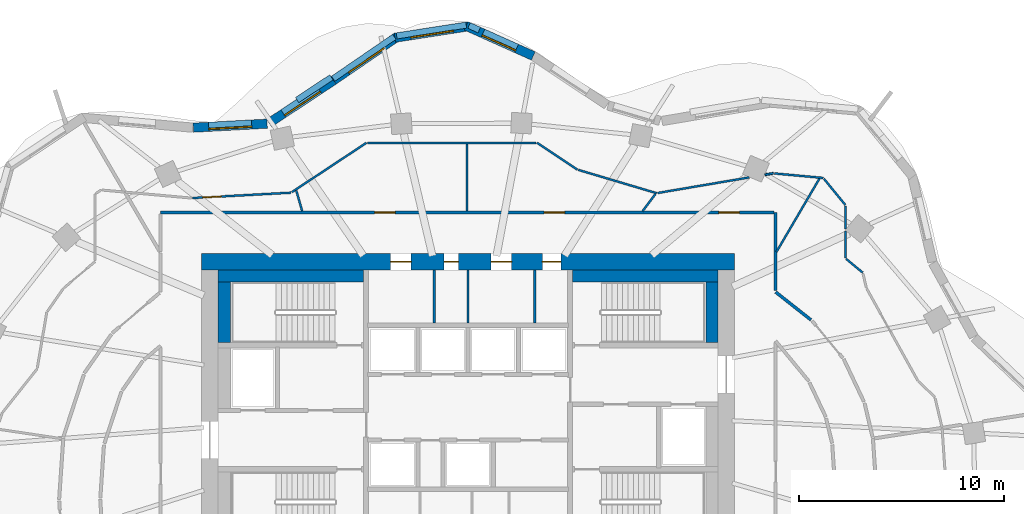
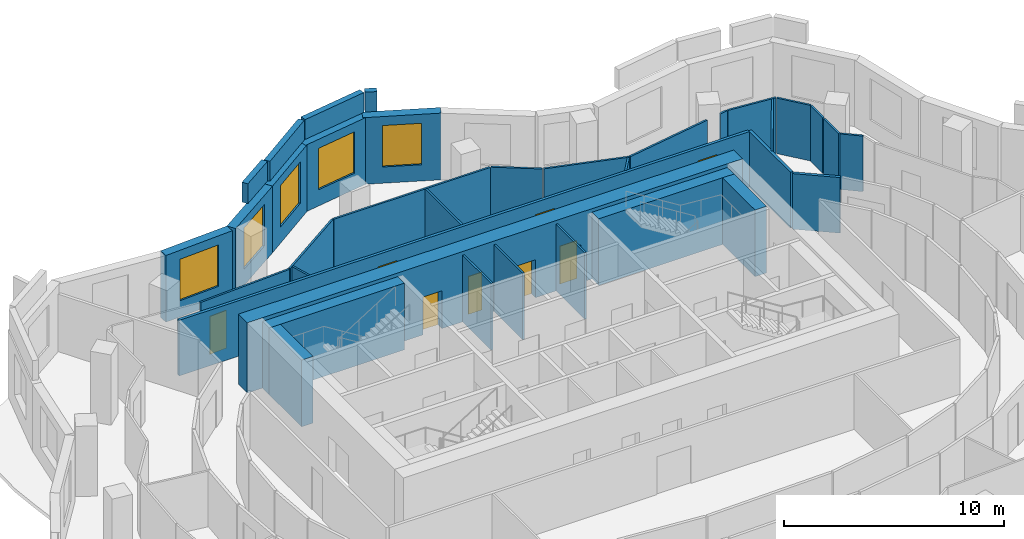
# One storey, part 8 of 10: 36 walls, 8 doors, 5 windows, 13 openings.
"""IFC4 building model written with IfcOpenShell, lengths in metres."""

from ifc_helpers import new_model, si_unit, direction, frame, frame_2d, origin, place, context, subcontext, project, spatial, rectangle, extrude, material, layer, layer_set, type_object, element, fill, save


model = new_model("IFC4")

# Units and contexts
model_context = context("Model", 3, precision=1e-05, world=origin(), true_north=direction((0.0, 1.0)))
body_context = subcontext(model_context, "Body", "Model", "MODEL_VIEW")
ifc_project = project(units=[si_unit("LENGTHUNIT", "METRE"), si_unit("AREAUNIT", "SQUARE_METRE"), si_unit("VOLUMEUNIT", "CUBIC_METRE"), si_unit("PLANEANGLEUNIT", "RADIAN"), si_unit("MASSUNIT", "GRAM", prefix="KILO")], contexts=[model_context])

# Site, building, storey
site_placement = place(None, origin())
site = spatial("IfcSite", under=ifc_project, at=site_placement, CompositionType="ELEMENT")
building_placement = place(site_placement, origin())
building = spatial("IfcBuilding", under=site, at=building_placement, Name="Rubra Terraces Tower", CompositionType="ELEMENT")
storey_placement = place(building_placement, frame((0.0, 0.0, 205.199951171875)))
storey = spatial("IfcBuildingStorey", under=building, at=storey_placement, Name="L50", CompositionType="ELEMENT", Elevation=205.199951171875)

# Wall, opening, window
ifc_material_1 = material(Name="Brick masonry red-brown", Category="masonry")
ifc_layer_1 = layer(ifc_material_1, 0.449951171875)
ifc_layer_set_1 = layer_set([ifc_layer_1], Name="Brick masonry red-brown")
wall_type_1 = type_object("IfcWallType", Name="Brick facade wall 450", PredefinedType="SOLIDWALL", material=ifc_layer_set_1)
wall_1_placement = place(storey_placement, frame((3.179443359375, 21.63623046875, 0.0), z_axis=(0.0, 0.0, 1.0), x_axis=(-0.912608353595, 0.40883492139, 0.0)))
wall_1 = element("IfcWall", 1, at=wall_1_placement, inside=storey, type_object=wall_type_1, Name="Facade wall L50 bay 10", PredefinedType="SOLIDWALL", context=body_context, shape_type="SweptSolid", body=[
    extrude(rectangle(XDim=3.584716796875, YDim=0.449951171875, at=frame_2d((1.79248046875, 0.0))), origin(), (0.0, 0.0, 1.0), 3.699951171875),
])
opening_1_placement = place(wall_1_placement, frame((0.892333984375, 0.0, 0.89990234375)))
opening_1 = element("IfcOpeningElement", 2, at=opening_1_placement, cuts=wall_1, Name="Opening W6B", PredefinedType="OPENING", context=body_context, shape_type="SweptSolid", body=[
    extrude(rectangle(XDim=1.800048828125, YDim=2.300048828125, at=frame_2d((0.89990234375, 1.14990234375))), frame((0.0, 0.23486328125, 0.0), z_axis=(0.0, -1.0, 0.0), x_axis=(1.0, 0.0, 0.0)), (0.0, 0.0, 1.0), 0.469970703125),
])
ifc_material_2 = material(Name="Clear glass in aluminium frame", Category="aluminium")
window_type_1 = type_object("IfcWindowType", Name="Fixed deep-set window at wind fin tall storey 1800 x 2300", PartitioningType="SINGLE_PANEL", PredefinedType="WINDOW", material=ifc_material_2)
window_1_placement = place(opening_1_placement, origin())
window_1 = element("IfcWindow", 3, at=window_1_placement, inside=storey, type_object=window_type_1, Name="Window L50 bay 10", OverallHeight=2.300048828125, OverallWidth=1.800048828125, PartitioningType="SINGLE_PANEL", PredefinedType="WINDOW", context=body_context, shape_type="SweptSolid", body=[
    extrude(rectangle(XDim=1.800048828125, YDim=2.300048828125, at=frame_2d((0.89990234375, 1.14990234375))), frame((0.0, 0.135009765625, 0.0), z_axis=(0.0, -1.0, 0.0), x_axis=(1.0, 0.0, 0.0)), (0.0, 0.0, 1.0), 0.06005859375),
])
fill(opening_1, window_1)

wall_2_placement = place(storey_placement, frame((0.03466796875, 23.084716796875, 0.0), z_axis=(0.0, 0.0, 1.0), x_axis=(-0.988133637562, -0.153596596054, 0.0)))
wall_2 = element("IfcWall", 4, at=wall_2_placement, inside=storey, type_object=wall_type_1, Name="Facade wall L50 bay 11", PredefinedType="SOLIDWALL", context=body_context, shape_type="SweptSolid", body=[
    extrude(rectangle(XDim=3.646240234375, YDim=0.449951171875, at=frame_2d((1.8232421875, 0.0))), origin(), (0.0, 0.0, 1.0), 3.699951171875),
])
opening_2_placement = place(wall_2_placement, frame((0.773193359375, 0.0, 0.89990234375)))
opening_2 = element("IfcOpeningElement", 5, at=opening_2_placement, cuts=wall_2, Name="Opening W1B", PredefinedType="OPENING", context=body_context, shape_type="SweptSolid", body=[
    extrude(rectangle(XDim=2.10009765625, YDim=2.300048828125, at=frame_2d((1.050048828125, 1.14990234375))), frame((0.0, 0.23486328125, 0.0), z_axis=(0.0, -1.0, 0.0), x_axis=(1.0, 0.0, 0.0)), (0.0, 0.0, 1.0), 0.469970703125),
])
window_type_2 = type_object("IfcWindowType", Name="Fixed deep-set window tall storey 2100 x 2300", PartitioningType="SINGLE_PANEL", PredefinedType="WINDOW", material=ifc_material_2)
window_2_placement = place(opening_2_placement, origin())
window_2 = element("IfcWindow", 6, at=window_2_placement, inside=storey, type_object=window_type_2, Name="Window L50 bay 11", OverallHeight=2.300048828125, OverallWidth=2.10009765625, PartitioningType="SINGLE_PANEL", PredefinedType="WINDOW", context=body_context, shape_type="SweptSolid", body=[
    extrude(rectangle(XDim=2.10009765625, YDim=2.300048828125, at=frame_2d((1.050048828125, 1.14990234375))), frame((0.0, 0.135009765625, 0.0), z_axis=(0.0, -1.0, 0.0), x_axis=(1.0, 0.0, 0.0)), (0.0, 0.0, 1.0), 0.06005859375),
])
fill(opening_2, window_2)

wall_3_placement = place(storey_placement, frame((-3.478515625, 22.559814453125, 0.0), z_axis=(0.0, 0.0, 1.0), x_axis=(-0.824722766417, -0.565537230033, 0.0)))
wall_3 = element("IfcWall", 7, at=wall_3_placement, inside=storey, type_object=wall_type_1, Name="Facade wall L50 bay 12", PredefinedType="SOLIDWALL", context=body_context, shape_type="SweptSolid", body=[
    extrude(rectangle(XDim=3.742431640625, YDim=0.449951171875, at=frame_2d((1.87109375, 0.0))), origin(), (0.0, 0.0, 1.0), 3.699951171875),
])
opening_3_placement = place(wall_3_placement, frame((0.8212890625, 0.0, 0.89990234375)))
opening_3 = element("IfcOpeningElement", 8, at=opening_3_placement, cuts=wall_3, Name="Opening W1B", PredefinedType="OPENING", context=body_context, shape_type="SweptSolid", body=[
    extrude(rectangle(XDim=2.10009765625, YDim=2.300048828125, at=frame_2d((1.050048828125, 1.14990234375))), frame((0.0, 0.23486328125, 0.0), z_axis=(0.0, -1.0, 0.0), x_axis=(1.0, 0.0, 0.0)), (0.0, 0.0, 1.0), 0.469970703125),
])
window_3_placement = place(opening_3_placement, origin())
window_3 = element("IfcWindow", 9, at=window_3_placement, inside=storey, type_object=window_type_2, Name="Window L50 bay 12", OverallHeight=2.300048828125, OverallWidth=2.10009765625, PartitioningType="SINGLE_PANEL", PredefinedType="WINDOW", context=body_context, shape_type="SweptSolid", body=[
    extrude(rectangle(XDim=2.10009765625, YDim=2.300048828125, at=frame_2d((1.050048828125, 1.14990234375))), frame((0.0, 0.135009765625, 0.0), z_axis=(0.0, -1.0, 0.0), x_axis=(1.0, 0.0, 0.0)), (0.0, 0.0, 1.0), 0.06005859375),
])
fill(opening_3, window_3)

wall_4_placement = place(storey_placement, frame((-6.568115234375, 20.44140625, 0.0), z_axis=(0.0, 0.0, 1.0), x_axis=(-0.834034214531, -0.551712723246, 0.0)))
wall_4 = element("IfcWall", 10, at=wall_4_placement, inside=storey, type_object=wall_type_1, Name="Facade wall L50 bay 13", PredefinedType="SOLIDWALL", context=body_context, shape_type="SweptSolid", body=[
    extrude(rectangle(XDim=3.75732421875, YDim=0.449951171875, at=frame_2d((1.878662109375, 0.0))), origin(), (0.0, 0.0, 1.0), 3.699951171875),
])
opening_4_placement = place(wall_4_placement, frame((0.82861328125, 0.0, 0.89990234375)))
opening_4 = element("IfcOpeningElement", 11, at=opening_4_placement, cuts=wall_4, Name="Opening W1B", PredefinedType="OPENING", context=body_context, shape_type="SweptSolid", body=[
    extrude(rectangle(XDim=2.10009765625, YDim=2.300048828125, at=frame_2d((1.050048828125, 1.14990234375))), frame((0.0, 0.23486328125, 0.0), z_axis=(0.0, -1.0, 0.0), x_axis=(1.0, 0.0, 0.0)), (0.0, 0.0, 1.0), 0.469970703125),
])
window_4_placement = place(opening_4_placement, origin())
window_4 = element("IfcWindow", 12, at=window_4_placement, inside=storey, type_object=window_type_2, Name="Window L50 bay 13", OverallHeight=2.300048828125, OverallWidth=2.10009765625, PartitioningType="SINGLE_PANEL", PredefinedType="WINDOW", context=body_context, shape_type="SweptSolid", body=[
    extrude(rectangle(XDim=2.10009765625, YDim=2.300048828125, at=frame_2d((1.050048828125, 1.14990234375))), frame((0.0, 0.135009765625, 0.0), z_axis=(0.0, -1.0, 0.0), x_axis=(1.0, 0.0, 0.0)), (0.0, 0.0, 1.0), 0.06005859375),
])
fill(opening_4, window_4)

wall_5_placement = place(storey_placement, frame((-9.80322265625, 18.333740234375, 0.0), z_axis=(0.0, 0.0, 1.0), x_axis=(-0.998525941495, -0.054276552602, 0.0)))
wall_5 = element("IfcWall", 13, at=wall_5_placement, inside=storey, type_object=wall_type_1, Name="Facade wall L50 bay 14", PredefinedType="SOLIDWALL", context=body_context, shape_type="SweptSolid", body=[
    extrude(rectangle(XDim=3.60302734375, YDim=0.449951171875, at=frame_2d((1.801513671875, 0.0))), origin(), (0.0, 0.0, 1.0), 3.699951171875),
])
opening_5_placement = place(wall_5_placement, frame((0.75146484375, 0.0, 0.89990234375)))
opening_5 = element("IfcOpeningElement", 14, at=opening_5_placement, cuts=wall_5, Name="Opening W1B", PredefinedType="OPENING", context=body_context, shape_type="SweptSolid", body=[
    extrude(rectangle(XDim=2.10009765625, YDim=2.300048828125, at=frame_2d((1.050048828125, 1.14990234375))), frame((0.0, 0.23486328125, 0.0), z_axis=(0.0, -1.0, 0.0), x_axis=(1.0, 0.0, 0.0)), (0.0, 0.0, 1.0), 0.469970703125),
])
window_5_placement = place(opening_5_placement, origin())
window_5 = element("IfcWindow", 15, at=window_5_placement, inside=storey, type_object=window_type_2, Name="Window L50 bay 14", OverallHeight=2.300048828125, OverallWidth=2.10009765625, PartitioningType="SINGLE_PANEL", PredefinedType="WINDOW", context=body_context, shape_type="SweptSolid", body=[
    extrude(rectangle(XDim=2.10009765625, YDim=2.300048828125, at=frame_2d((1.050048828125, 1.14990234375))), frame((0.0, 0.135009765625, 0.0), z_axis=(0.0, -1.0, 0.0), x_axis=(1.0, 0.0, 0.0)), (0.0, 0.0, 1.0), 0.06005859375),
])
fill(opening_5, window_5)

# Walls
ifc_layer_2 = layer(ifc_material_1, 0.300048828125)
ifc_layer_set_2 = layer_set([ifc_layer_2], Name="Brick masonry red-brown")
wall_type_2 = type_object("IfcWallType", Name="Brick parapet 300", PredefinedType="PARAPET", material=ifc_layer_set_2)
wall_6_placement = place(storey_placement, frame((0.54541015625, 22.898193359375, 3.900146484375), z_axis=(0.0, 0.0, 1.0), x_axis=(-0.912497815069, 0.409081578044, 0.0)))
element("IfcWall", 16, at=wall_6_placement, inside=storey, type_object=wall_type_2, Name="Parapet L50 bay 10", PredefinedType="PARAPET", context=body_context, shape_type="SweptSolid", body=[
    extrude(rectangle(XDim=0.546142578125, YDim=0.300048828125, at=frame_2d((0.27294921875, 0.0))), origin(), (0.0, 0.0, 1.0), 1.099853515625),
])
wall_7_placement = place(storey_placement, frame((-0.09423828125, 23.140380859375, 3.900146484375), z_axis=(0.0, 0.0, 1.0), x_axis=(-0.988150084887, -0.153490748056, 0.0)))
element("IfcWall", 17, at=wall_7_placement, inside=storey, type_object=wall_type_2, Name="Parapet L50 bay 11", PredefinedType="PARAPET", context=body_context, shape_type="SweptSolid", body=[
    extrude(rectangle(XDim=3.42919921875, YDim=0.300048828125, at=frame_2d((1.714599609375, 0.0))), origin(), (0.0, 0.0, 1.0), 1.099853515625),
])
wall_8_placement = place(storey_placement, frame((-3.59912109375, 22.56787109375, 3.900146484375), z_axis=(0.0, 0.0, 1.0), x_axis=(-0.82476034254, -0.565482428881, 0.0)))
element("IfcWall", 18, at=wall_8_placement, inside=storey, type_object=wall_type_2, Name="Parapet L50 bay 12", PredefinedType="PARAPET", context=body_context, shape_type="SweptSolid", body=[
    extrude(rectangle(XDim=3.61572265625, YDim=0.300048828125, at=frame_2d((1.807861328125, 0.0))), origin(), (0.0, 0.0, 1.0), 1.099853515625),
])
wall_9_placement = place(storey_placement, frame((-6.665283203125, 20.593017578125, 3.900146484375), z_axis=(0.0, 0.0, 1.0), x_axis=(-0.834027642059, -0.551722658843, 0.0)))
element("IfcWall", 19, at=wall_9_placement, inside=storey, type_object=wall_type_2, Name="Parapet L50 bay 13", PredefinedType="PARAPET", context=body_context, shape_type="SweptSolid", body=[
    extrude(rectangle(XDim=2.008056640625, YDim=0.300048828125, at=frame_2d((1.00390625, 0.0))), origin(), (0.0, 0.0, 1.0), 1.099853515625),
])

# Wall, openings, doors
ifc_material_3 = material(Name="Concrete C50", Category="concrete")
ifc_layer_3 = layer(ifc_material_3, 0.800048828125)
ifc_layer_set_3 = layer_set([ifc_layer_3], Name="Concrete C50")
wall_type_3 = type_object("IfcWallType", Name="CORE WALL 800 C50", PredefinedType="SHEAR", material=ifc_layer_set_3)
wall_10_placement = place(storey_placement, frame((-13.0, 11.60009765625, 0.0), z_axis=(0.0, 0.0, 1.0), x_axis=(1.0, 0.0, 0.0)))
wall_10 = element("IfcWall", 20, at=wall_10_placement, inside=storey, type_object=wall_type_3, Name="CORE WALL N L50", PredefinedType="SHEAR", context=body_context, shape_type="SweptSolid", body=[
    extrude(rectangle(XDim=26.0, YDim=0.800048828125, at=frame_2d((13.0, 0.0))), origin(), (0.0, 0.0, 1.0), 3.900146484375),
])
opening_6_placement = place(wall_10_placement, frame((9.22509765625, 0.0, 0.0)))
opening_6 = element("IfcOpeningElement", 21, at=opening_6_placement, cuts=wall_10, Name="Opening L50.C25", PredefinedType="OPENING", context=body_context, shape_type="SweptSolid", body=[
    extrude(rectangle(XDim=1.0, YDim=2.10009765625, at=frame_2d((0.5, 1.050048828125))), frame((0.0, 0.409912109375, 0.0), z_axis=(0.0, -1.0, 0.0), x_axis=(1.0, 0.0, 0.0)), (0.0, 0.0, 1.0), 0.820068359375),
])
opening_7_placement = place(wall_10_placement, frame((11.824951171875, 0.0, 0.0)))
opening_7 = element("IfcOpeningElement", 22, at=opening_7_placement, cuts=wall_10, Name="Opening L50.C26", PredefinedType="OPENING", context=body_context, shape_type="SweptSolid", body=[
    extrude(rectangle(XDim=0.699951171875, YDim=2.10009765625, at=frame_2d((0.35009765625, 1.050048828125))), frame((0.0, 0.409912109375, 0.0), z_axis=(0.0, -1.0, 0.0), x_axis=(1.0, 0.0, 0.0)), (0.0, 0.0, 1.0), 0.820068359375),
])
opening_8_placement = place(wall_10_placement, frame((14.125, 0.0, 0.0)))
opening_8 = element("IfcOpeningElement", 23, at=opening_8_placement, cuts=wall_10, Name="Opening L50.C27", PredefinedType="OPENING", context=body_context, shape_type="SweptSolid", body=[
    extrude(rectangle(XDim=1.0, YDim=2.10009765625, at=frame_2d((0.5, 1.050048828125))), frame((0.0, 0.409912109375, 0.0), z_axis=(0.0, -1.0, 0.0), x_axis=(1.0, 0.0, 0.0)), (0.0, 0.0, 1.0), 0.820068359375),
])
opening_9_placement = place(wall_10_placement, frame((16.625, 0.0, 0.0)))
opening_9 = element("IfcOpeningElement", 24, at=opening_9_placement, cuts=wall_10, Name="Opening L50.C28", PredefinedType="OPENING", context=body_context, shape_type="SweptSolid", body=[
    extrude(rectangle(XDim=0.89990234375, YDim=2.10009765625, at=frame_2d((0.449951171875, 1.050048828125))), frame((0.0, 0.409912109375, 0.0), z_axis=(0.0, -1.0, 0.0), x_axis=(1.0, 0.0, 0.0)), (0.0, 0.0, 1.0), 0.820068359375),
])
ifc_material_4 = material(Name="Painted steel", Category="steel")
door_type_1 = type_object("IfcDoorType", Name="Fire door 1000x2100 single", OperationType="NOTDEFINED", PredefinedType="DOOR", material=ifc_material_4)
door_1_placement = place(opening_6_placement, origin())
door_1 = element("IfcDoor", 25, at=door_1_placement, inside=storey, type_object=door_type_1, Name="Guest pantry door", OperationType="SINGLE_SWING_LEFT", OverallHeight=2.10009765625, OverallWidth=1.0, PredefinedType="DOOR", context=body_context, shape_type="SweptSolid", body=[
    extrude(rectangle(XDim=1.0, YDim=2.10009765625, at=frame_2d((0.5, 1.050048828125))), frame((0.0, 0.02490234375, 0.0), z_axis=(0.0, -1.0, 0.0), x_axis=(1.0, 0.0, 0.0)), (0.0, 0.0, 1.0), 0.050048828125),
])
fill(opening_6, door_1)
door_2_placement = place(opening_8_placement, origin())
door_2 = element("IfcDoor", 26, at=door_2_placement, inside=storey, type_object=door_type_1, Name="Security and building control room door", OperationType="SINGLE_SWING_LEFT", OverallHeight=2.10009765625, OverallWidth=1.0, PredefinedType="DOOR", context=body_context, shape_type="SweptSolid", body=[
    extrude(rectangle(XDim=1.0, YDim=2.10009765625, at=frame_2d((0.5, 1.050048828125))), frame((0.0, 0.02490234375, 0.0), z_axis=(0.0, -1.0, 0.0), x_axis=(1.0, 0.0, 0.0)), (0.0, 0.0, 1.0), 0.050048828125),
])
fill(opening_8, door_2)
door_type_2 = type_object("IfcDoorType", Name="Fire door 900x2100 single", OperationType="NOTDEFINED", PredefinedType="DOOR", material=ifc_material_4)
door_3_placement = place(opening_9_placement, origin())
door_3 = element("IfcDoor", 27, at=door_3_placement, inside=storey, type_object=door_type_2, Name="Cleaner's store door", OperationType="SINGLE_SWING_RIGHT", OverallHeight=2.10009765625, OverallWidth=0.89990234375, PredefinedType="DOOR", context=body_context, shape_type="SweptSolid", body=[
    extrude(rectangle(XDim=0.89990234375, YDim=2.10009765625, at=frame_2d((0.449951171875, 1.050048828125))), frame((0.0, 0.02490234375, 0.0), z_axis=(0.0, -1.0, 0.0), x_axis=(1.0, 0.0, 0.0)), (0.0, 0.0, 1.0), 0.050048828125),
])
fill(opening_9, door_3)
door_type_3 = type_object("IfcDoorType", Name="Riser access door 700x2100 single", OperationType="NOTDEFINED", PredefinedType="DOOR", material=ifc_material_4)
door_4_placement = place(opening_7_placement, origin())
door_4 = element("IfcDoor", 28, at=door_4_placement, inside=storey, type_object=door_type_3, Name="Electrical riser room door", OperationType="SINGLE_SWING_RIGHT", OverallHeight=2.10009765625, OverallWidth=0.699951171875, PredefinedType="DOOR", context=body_context, shape_type="SweptSolid", body=[
    extrude(rectangle(XDim=0.699951171875, YDim=2.10009765625, at=frame_2d((0.35009765625, 1.050048828125))), frame((0.0, 0.02490234375, 0.0), z_axis=(0.0, -1.0, 0.0), x_axis=(1.0, 0.0, 0.0)), (0.0, 0.0, 1.0), 0.050048828125),
])
fill(opening_7, door_4)

# Walls
ifc_material_5 = material(Name="Plasterboard on steel stud, mineral wool infill", Category="steel")
ifc_layer_4 = layer(ifc_material_5, 0.14990234375)
ifc_layer_set_4 = layer_set([ifc_layer_4], Name="Plasterboard on steel stud, mineral wool infill")
wall_type_4 = type_object("IfcWallType", Name="CORRIDOR PARTITION 150", PredefinedType="PARTITIONING", material=ifc_layer_set_4)
wall_11_placement = place(storey_placement, frame((16.723876953125, 8.761474609375, 0.0), z_axis=(0.0, 0.0, 1.0), x_axis=(-0.785124633057, 0.619337800047, 0.0)))
element("IfcWall", 29, at=wall_11_placement, inside=storey, type_object=wall_type_4, Name="PARTITION", PredefinedType="PARTITIONING", context=body_context, shape_type="SweptSolid", body=[
    extrude(rectangle(XDim=2.195556640625, YDim=0.14990234375, at=frame_2d((1.09765625, 0.0))), origin(), (0.0, 0.0, 1.0), 3.083984375),
])
wall_12_placement = place(storey_placement, frame((15.0, 10.1962890625, 0.0), z_axis=(0.0, 0.0, 1.0), x_axis=(0.0, 1.0, 0.0)))
element("IfcWall", 30, at=wall_12_placement, inside=storey, type_object=wall_type_4, Name="PARTITION", PredefinedType="PARTITIONING", context=body_context, shape_type="SweptSolid", body=[
    extrude(rectangle(XDim=3.8037109375, YDim=0.14990234375, at=frame_2d((1.90185546875, 0.0))), origin(), (0.0, 0.0, 1.0), 3.083984375),
])

# Wall, openings, doors
wall_13_placement = place(storey_placement, frame((14.925048828125, 14.0, 0.0), z_axis=(0.0, 0.0, 1.0), x_axis=(-1.0, 0.0, 0.0)))
wall_13 = element("IfcWall", 31, at=wall_13_placement, inside=storey, type_object=wall_type_4, Name="PARTITION", PredefinedType="PARTITIONING", context=body_context, shape_type="SweptSolid", body=[
    extrude(rectangle(XDim=29.925048828125, YDim=0.14990234375, at=frame_2d((14.96240234375, 0.0))), origin(), (0.0, 0.0, 1.0), 3.083984375),
])
opening_10_placement = place(wall_13_placement, frame((1.698974609375, 0.0, 0.0)))
opening_10 = element("IfcOpeningElement", 32, at=opening_10_placement, cuts=wall_13, Name="Opening 50-112", PredefinedType="OPENING", context=body_context, shape_type="SweptSolid", body=[
    extrude(rectangle(XDim=1.0, YDim=2.39990234375, at=frame_2d((0.5, 1.199951171875))), frame((0.0, 0.0849609375, 0.0), z_axis=(0.0, -1.0, 0.0), x_axis=(1.0, 0.0, 0.0)), (0.0, 0.0, 1.0), 0.169921875),
])
opening_11_placement = place(wall_13_placement, frame((10.222900390625, 0.0, 0.0)))
opening_11 = element("IfcOpeningElement", 33, at=opening_11_placement, cuts=wall_13, Name="Opening 50-113", PredefinedType="OPENING", context=body_context, shape_type="SweptSolid", body=[
    extrude(rectangle(XDim=1.0, YDim=2.39990234375, at=frame_2d((0.5, 1.199951171875))), frame((0.0, 0.0849609375, 0.0), z_axis=(0.0, -1.0, 0.0), x_axis=(1.0, 0.0, 0.0)), (0.0, 0.0, 1.0), 0.169921875),
])
opening_12_placement = place(wall_13_placement, frame((18.489990234375, 0.0, 0.0)))
opening_12 = element("IfcOpeningElement", 34, at=opening_12_placement, cuts=wall_13, Name="Opening 50-114", PredefinedType="OPENING", context=body_context, shape_type="SweptSolid", body=[
    extrude(rectangle(XDim=1.0, YDim=2.39990234375, at=frame_2d((0.5, 1.199951171875))), frame((0.0, 0.0849609375, 0.0), z_axis=(0.0, -1.0, 0.0), x_axis=(1.0, 0.0, 0.0)), (0.0, 0.0, 1.0), 0.169921875),
])
ifc_material_6 = material(Name="Glazed aluminium meeting door leaf", Category="aluminium")
door_type_4 = type_object("IfcDoorType", Name="MEETING ROOM GLAZED DOOR 1000 X 2400", OperationType="SINGLE_SWING_LEFT", PredefinedType="DOOR", material=ifc_material_6)
door_5_placement = place(opening_10_placement, origin())
door_5 = element("IfcDoor", 35, at=door_5_placement, inside=storey, type_object=door_type_4, Name="DOOR 50-112", OperationType="SINGLE_SWING_LEFT", OverallHeight=2.39990234375, OverallWidth=1.0, PredefinedType="DOOR", context=body_context, shape_type="SweptSolid", body=[
    extrude(rectangle(XDim=1.0, YDim=2.39990234375, at=frame_2d((0.5, 1.199951171875))), frame((0.0, 0.02490234375, 0.0), z_axis=(0.0, -1.0, 0.0), x_axis=(1.0, 0.0, 0.0)), (0.0, 0.0, 1.0), 0.050048828125),
])
fill(opening_10, door_5)
door_6_placement = place(opening_11_placement, origin())
door_6 = element("IfcDoor", 36, at=door_6_placement, inside=storey, type_object=door_type_4, Name="DOOR 50-113", OperationType="SINGLE_SWING_RIGHT", OverallHeight=2.39990234375, OverallWidth=1.0, PredefinedType="DOOR", context=body_context, shape_type="SweptSolid", body=[
    extrude(rectangle(XDim=1.0, YDim=2.39990234375, at=frame_2d((0.5, 1.199951171875))), frame((0.0, 0.02490234375, 0.0), z_axis=(0.0, -1.0, 0.0), x_axis=(1.0, 0.0, 0.0)), (0.0, 0.0, 1.0), 0.050048828125),
])
fill(opening_11, door_6)
door_7_placement = place(opening_12_placement, origin())
door_7 = element("IfcDoor", 37, at=door_7_placement, inside=storey, type_object=door_type_4, Name="DOOR 50-114", OperationType="SINGLE_SWING_RIGHT", OverallHeight=2.39990234375, OverallWidth=1.0, PredefinedType="DOOR", context=body_context, shape_type="SweptSolid", body=[
    extrude(rectangle(XDim=1.0, YDim=2.39990234375, at=frame_2d((0.5, 1.199951171875))), frame((0.0, 0.02490234375, 0.0), z_axis=(0.0, -1.0, 0.0), x_axis=(1.0, 0.0, 0.0)), (0.0, 0.0, 1.0), 0.050048828125),
])
fill(opening_12, door_7)

# Walls
ifc_material_7 = material(Name="Concrete C40", Category="concrete")
ifc_layer_5 = layer(ifc_material_7, 0.60009765625)
ifc_layer_set_5 = layer_set([ifc_layer_5], Name="Concrete C40")
wall_type_5 = type_object("IfcWallType", Name="Core lining wall 600 concrete", PredefinedType="SOLIDWALL", material=ifc_layer_set_5)
wall_14_placement = place(storey_placement, frame((-11.89990234375, 7.64990234375, 0.0), z_axis=(0.0, 0.0, 1.0), x_axis=(0.0, 1.0, 0.0)))
element("IfcWall", 38, at=wall_14_placement, inside=storey, type_object=wall_type_5, Name="CORE LINING WALL L50", PredefinedType="SOLIDWALL", context=body_context, shape_type="SweptSolid", body=[
    extrude(rectangle(XDim=2.9501953125, YDim=0.60009765625, at=frame_2d((1.47509765625, 0.0))), origin(), (0.0, 0.0, 1.0), 3.699951171875),
])
for number, where, z_axis, x_axis, name in (
    (39, (-12.199951171875, 10.89990234375, 0.0), (0.0, 0.0, 1.0), (1.0, 0.0, 0.0), "CORE LINING WALL L50"),
    (40, (12.199951171875, 10.89990234375, 0.0), (0.0, 0.0, 1.0), (-1.0, 0.0, 0.0), "CORE LINING WALL L50"),
):
    element("IfcWall", number, at=place(storey_placement, frame(where, z_axis=z_axis, x_axis=x_axis)), inside=storey, type_object=wall_type_5, Name=name, PredefinedType="SOLIDWALL", context=body_context, shape_type="SweptSolid", body=[
        extrude(rectangle(XDim=7.099853515625, YDim=0.60009765625, at=frame_2d((3.5498046875, 0.0))), origin(), (0.0, 0.0, 1.0), 3.699951171875),
    ])
wall_15_placement = place(storey_placement, frame((11.89990234375, 10.60009765625, 0.0), z_axis=(0.0, 0.0, 1.0), x_axis=(0.0, -1.0, 0.0)))
element("IfcWall", 41, at=wall_15_placement, inside=storey, type_object=wall_type_5, Name="CORE LINING WALL L50", PredefinedType="SOLIDWALL", context=body_context, shape_type="SweptSolid", body=[
    extrude(rectangle(XDim=2.9501953125, YDim=0.60009765625, at=frame_2d((1.47509765625, 0.0))), origin(), (0.0, 0.0, 1.0), 3.699951171875),
])
ifc_material_8 = material(Name="Plasterboard on steel stud", Category="steel")
ifc_layer_6 = layer(ifc_material_8, 0.10009765625)
ifc_layer_set_6 = layer_set([ifc_layer_6], Name="Plasterboard on steel stud")
wall_type_6 = type_object("IfcWallType", Name="ROOM PARTITION 100", PredefinedType="PARTITIONING", material=ifc_layer_set_6)
wall_16_placement = place(storey_placement, frame((3.361572265625, 17.39990234375, 0.0), z_axis=(0.0, 0.0, 1.0), x_axis=(0.832987305186, -0.553292101335, 0.0)))
element("IfcWall", 42, at=wall_16_placement, inside=storey, type_object=wall_type_6, Name="PARTITION", PredefinedType="PARTITIONING", context=body_context, shape_type="SweptSolid", body=[
    extrude(rectangle(XDim=2.362060546875, YDim=0.10009765625, at=frame_2d((1.18115234375, 0.0))), origin(), (0.0, 0.0, 1.0), 3.083984375),
])
wall_17_placement = place(storey_placement, frame((5.377197265625, 16.078857421875, 0.0), z_axis=(0.0, 0.0, 1.0), x_axis=(0.958503323659, -0.28508135424, 0.0)))
element("IfcWall", 43, at=wall_17_placement, inside=storey, type_object=wall_type_6, Name="PARTITION", PredefinedType="PARTITIONING", context=body_context, shape_type="SweptSolid", body=[
    extrude(rectangle(XDim=3.98388671875, YDim=0.10009765625, at=frame_2d((1.991943359375, 0.0))), origin(), (0.0, 0.0, 1.0), 3.083984375),
])
wall_18_placement = place(storey_placement, frame((9.2451171875, 14.95166015625, 0.0), z_axis=(0.0, 0.0, 1.0), x_axis=(0.985863233989, 0.167552033319, 0.0)))
element("IfcWall", 44, at=wall_18_placement, inside=storey, type_object=wall_type_6, Name="PARTITION", PredefinedType="PARTITIONING", context=body_context, shape_type="SweptSolid", body=[
    extrude(rectangle(XDim=4.531494140625, YDim=0.10009765625, at=frame_2d((2.265625, 0.0))), origin(), (0.0, 0.0, 1.0), 3.083984375),
])
wall_19_placement = place(storey_placement, frame((14.48193359375, 15.841796875, 0.0), z_axis=(0.0, 0.0, 1.0), x_axis=(0.985806446381, 0.167885825111, 0.0)))
element("IfcWall", 45, at=wall_19_placement, inside=storey, type_object=wall_type_6, Name="PARTITION", PredefinedType="PARTITIONING", context=body_context, shape_type="SweptSolid", body=[
    extrude(rectangle(XDim=0.40869140625, YDim=0.10009765625, at=frame_2d((0.204345703125, 0.0))), origin(), (0.0, 0.0, 1.0), 3.083984375),
])
wall_20_placement = place(storey_placement, frame((14.9345703125, 15.90576171875, 0.0), z_axis=(0.0, 0.0, 1.0), x_axis=(0.995783150827, -0.09173830459, 0.0)))
element("IfcWall", 46, at=wall_20_placement, inside=storey, type_object=wall_type_6, Name="PARTITION", PredefinedType="PARTITIONING", context=body_context, shape_type="SweptSolid", body=[
    extrude(rectangle(XDim=2.397705078125, YDim=0.10009765625, at=frame_2d((1.19873046875, 0.0))), origin(), (0.0, 0.0, 1.0), 3.083984375),
])
wall_21_placement = place(storey_placement, frame((17.35400390625, 15.64697265625, 0.0), z_axis=(0.0, 0.0, 1.0), x_axis=(0.632948103301, -0.774194225326, 0.0)))
element("IfcWall", 47, at=wall_21_placement, inside=storey, type_object=wall_type_6, Name="PARTITION", PredefinedType="PARTITIONING", context=body_context, shape_type="SweptSolid", body=[
    extrude(rectangle(XDim=1.65234375, YDim=0.10009765625, at=frame_2d((0.826171875, 0.0))), origin(), (0.0, 0.0, 1.0), 3.083984375),
])
wall_22_placement = place(storey_placement, frame((18.39990234375, 14.317626953125, 0.0), z_axis=(0.0, 0.0, 1.0), x_axis=(0.0, -1.0, 0.0)))
element("IfcWall", 48, at=wall_22_placement, inside=storey, type_object=wall_type_6, Name="PARTITION", PredefinedType="PARTITIONING", context=body_context, shape_type="SweptSolid", body=[
    extrude(rectangle(XDim=1.12744140625, YDim=0.10009765625, at=frame_2d((0.563720703125, 0.0))), origin(), (0.0, 0.0, 1.0), 3.083984375),
])
wall_23_placement = place(storey_placement, frame((18.39990234375, 13.108154296875, 0.0), z_axis=(0.0, 0.0, 1.0), x_axis=(0.0, -1.0, 0.0)))
element("IfcWall", 49, at=wall_23_placement, inside=storey, type_object=wall_type_6, Name="PARTITION", PredefinedType="PARTITIONING", context=body_context, shape_type="SweptSolid", body=[
    extrude(rectangle(XDim=1.33837890625, YDim=0.10009765625, at=frame_2d((0.669189453125, 0.0))), origin(), (0.0, 0.0, 1.0), 3.083984375),
])
wall_24_placement = place(storey_placement, frame((18.4384765625, 11.73779296875, 0.0), z_axis=(0.0, 0.0, 1.0), x_axis=(0.77057087269, -0.637354320737, 0.0)))
element("IfcWall", 50, at=wall_24_placement, inside=storey, type_object=wall_type_6, Name="PARTITION", PredefinedType="PARTITIONING", context=body_context, shape_type="SweptSolid", body=[
    extrude(rectangle(XDim=1.0537109375, YDim=0.10009765625, at=frame_2d((0.52685546875, 0.0))), origin(), (0.0, 0.0, 1.0), 3.083984375),
])

# Wall, opening, door
wall_25_placement = place(storey_placement, frame((-13.436767578125, 14.706298828125, 0.0), z_axis=(0.0, 0.0, 1.0), x_axis=(0.998525882111, 0.054277645072, 0.0)))
wall_25 = element("IfcWall", 51, at=wall_25_placement, inside=storey, type_object=wall_type_6, Name="PARTITION", PredefinedType="PARTITIONING", context=body_context, shape_type="SweptSolid", body=[
    extrude(rectangle(XDim=4.808349609375, YDim=0.10009765625, at=frame_2d((2.404296875, 0.0))), origin(), (0.0, 0.0, 1.0), 3.083984375),
])
opening_13_placement = place(wall_25_placement, frame((0.5, 0.0, 0.0)))
opening_13 = element("IfcOpeningElement", 52, at=opening_13_placement, cuts=wall_25, Name="Opening 50-115", PredefinedType="OPENING", context=body_context, shape_type="SweptSolid", body=[
    extrude(rectangle(XDim=0.89990234375, YDim=2.10009765625, at=frame_2d((0.449951171875, 1.050048828125))), frame((0.0, 0.06005859375, 0.0), z_axis=(0.0, -1.0, 0.0), x_axis=(1.0, 0.0, 0.0)), (0.0, 0.0, 1.0), 0.1201171875),
])
ifc_material_9 = material(Name="Painted timber door leaf", Category="wood")
door_type_5 = type_object("IfcDoorType", Name="ROOM DOOR 900 X 2100", OperationType="SINGLE_SWING_LEFT", PredefinedType="DOOR", material=ifc_material_9)
door_8_placement = place(opening_13_placement, origin())
door_8 = element("IfcDoor", 53, at=door_8_placement, inside=storey, type_object=door_type_5, Name="DOOR 50-115", OperationType="SINGLE_SWING_RIGHT", OverallHeight=2.10009765625, OverallWidth=0.89990234375, PredefinedType="DOOR", context=body_context, shape_type="SweptSolid", body=[
    extrude(rectangle(XDim=0.89990234375, YDim=2.10009765625, at=frame_2d((0.449951171875, 1.050048828125))), frame((0.0, 0.02490234375, 0.0), z_axis=(0.0, -1.0, 0.0), x_axis=(1.0, 0.0, 0.0)), (0.0, 0.0, 1.0), 0.050048828125),
])
fill(opening_13, door_8)

# Walls
wall_26_placement = place(storey_placement, frame((-8.59375, 14.9951171875, 0.0), z_axis=(0.0, 0.0, 1.0), x_axis=(0.834061061321, 0.551672136316, 0.0)))
element("IfcWall", 54, at=wall_26_placement, inside=storey, type_object=wall_type_6, Name="PARTITION", PredefinedType="PARTITIONING", context=body_context, shape_type="SweptSolid", body=[
    extrude(rectangle(XDim=4.359130859375, YDim=0.10009765625, at=frame_2d((2.1796875, 0.0))), origin(), (0.0, 0.0, 1.0), 3.083984375),
])
wall_27_placement = place(storey_placement, frame((-4.907958984375, 17.39990234375, 0.0), z_axis=(0.0, 0.0, 1.0), x_axis=(1.0, 0.0, 0.0)))
element("IfcWall", 55, at=wall_27_placement, inside=storey, type_object=wall_type_6, Name="PARTITION", PredefinedType="PARTITIONING", context=body_context, shape_type="SweptSolid", body=[
    extrude(rectangle(XDim=8.219482421875, YDim=0.10009765625, at=frame_2d((4.10986328125, 0.0))), origin(), (0.0, 0.0, 1.0), 3.083984375),
])
wall_28_placement = place(storey_placement, frame((15.0380859375, 12.074462890625, 0.0), z_axis=(0.0, 0.0, 1.0), x_axis=(0.5056938513, 0.862713004862, 0.0)))
element("IfcWall", 56, at=wall_28_placement, inside=storey, type_object=wall_type_6, Name="PARTITION", PredefinedType="PARTITIONING", context=body_context, shape_type="SweptSolid", body=[
    extrude(rectangle(XDim=4.15283203125, YDim=0.10009765625, at=frame_2d((2.076416015625, 0.0))), origin(), (0.0, 0.0, 1.0), 3.083984375),
])
wall_29_placement = place(storey_placement, frame((8.506591796875, 14.06005859375, 0.0), z_axis=(0.0, 0.0, 1.0), x_axis=(0.599742509515, 0.800193053132, 0.0)))
element("IfcWall", 57, at=wall_29_placement, inside=storey, type_object=wall_type_6, Name="PARTITION", PredefinedType="PARTITIONING", context=body_context, shape_type="SweptSolid", body=[
    extrude(rectangle(XDim=1.06201171875, YDim=0.10009765625, at=frame_2d((0.531005859375, 0.0))), origin(), (0.0, 0.0, 1.0), 3.083984375),
])
wall_30_placement = place(storey_placement, frame((-0.057373046875, 14.074951171875, 0.0), z_axis=(0.0, 0.0, 1.0), x_axis=(-0.000596347266, 0.999999822185, 0.0)))
element("IfcWall", 58, at=wall_30_placement, inside=storey, type_object=wall_type_6, Name="PARTITION", PredefinedType="PARTITIONING", context=body_context, shape_type="SweptSolid", body=[
    extrude(rectangle(XDim=3.275146484375, YDim=0.10009765625, at=frame_2d((1.6376953125, 0.0))), origin(), (0.0, 0.0, 1.0), 3.083984375),
])
wall_31_placement = place(storey_placement, frame((-8.093505859375, 14.072021484375, 0.0), z_axis=(0.0, 0.0, 1.0), x_axis=(-0.27703220146, 0.96086063472, 0.0)))
element("IfcWall", 59, at=wall_31_placement, inside=storey, type_object=wall_type_6, Name="PARTITION", PredefinedType="PARTITIONING", context=body_context, shape_type="SweptSolid", body=[
    extrude(rectangle(XDim=1.046142578125, YDim=0.10009765625, at=frame_2d((0.52294921875, 0.0))), origin(), (0.0, 0.0, 1.0), 3.083984375),
])
ifc_material_10 = material(Name="Blockwork", Category="masonry")
ifc_layer_7 = layer(ifc_material_10, 0.10009765625)
ifc_layer_set_7 = layer_set([ifc_layer_7], Name="Blockwork")
wall_type_7 = type_object("IfcWallType", Name="Service partition 100 blockwork", PredefinedType="PARTITIONING", material=ifc_layer_set_7)
for number, where, z_axis, x_axis, name in (
    (60, (-1.64990234375, 8.60009765625, 0.0), (0.0, 0.0, 1.0), (0.0, 1.0, 0.0), "SERVICE ROOM PARTITION L50"),
    (61, (0.0, 8.60009765625, 0.0), (0.0, 0.0, 1.0), (0.0, 1.0, 0.0), "SERVICE ROOM PARTITION L50"),
    (62, (3.25, 8.60009765625, 0.0), (0.0, 0.0, 1.0), (0.0, 1.0, 0.0), "SERVICE ROOM PARTITION L50"),
):
    element("IfcWall", number, at=place(storey_placement, frame(where, z_axis=z_axis, x_axis=x_axis)), inside=storey, type_object=wall_type_7, Name=name, PredefinedType="PARTITIONING", context=body_context, shape_type="SweptSolid", body=[
        extrude(rectangle(XDim=2.599853515625, YDim=0.10009765625, at=frame_2d((1.2998046875, 0.0))), origin(), (0.0, 0.0, 1.0), 3.699951171875),
    ])

save(model, "model.ifc")
